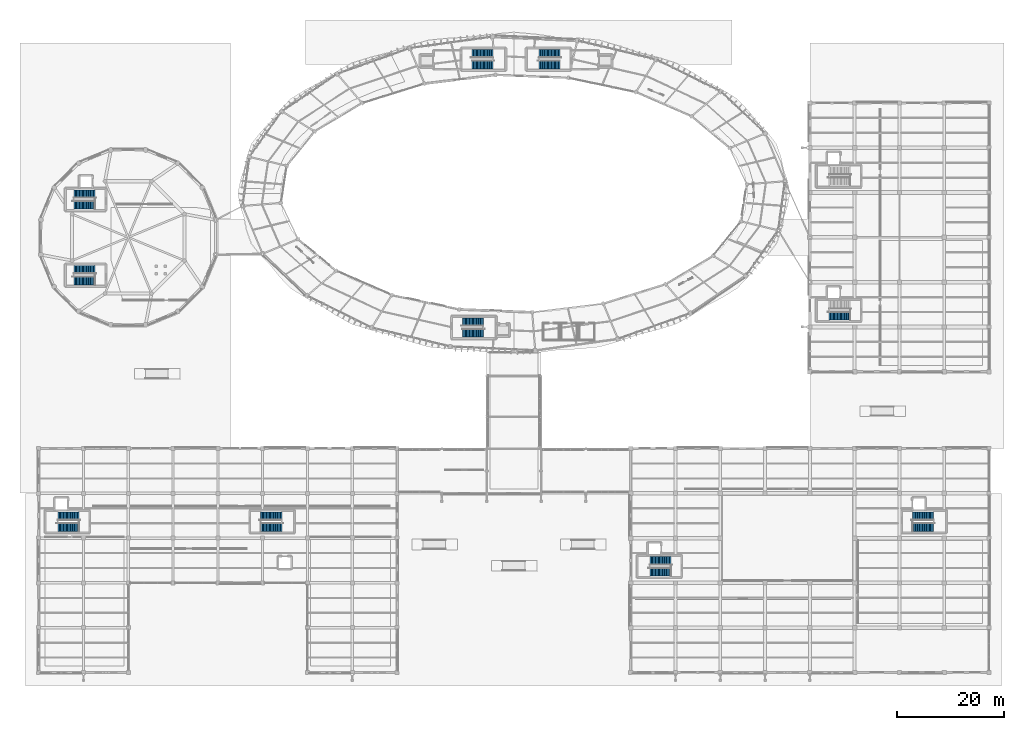
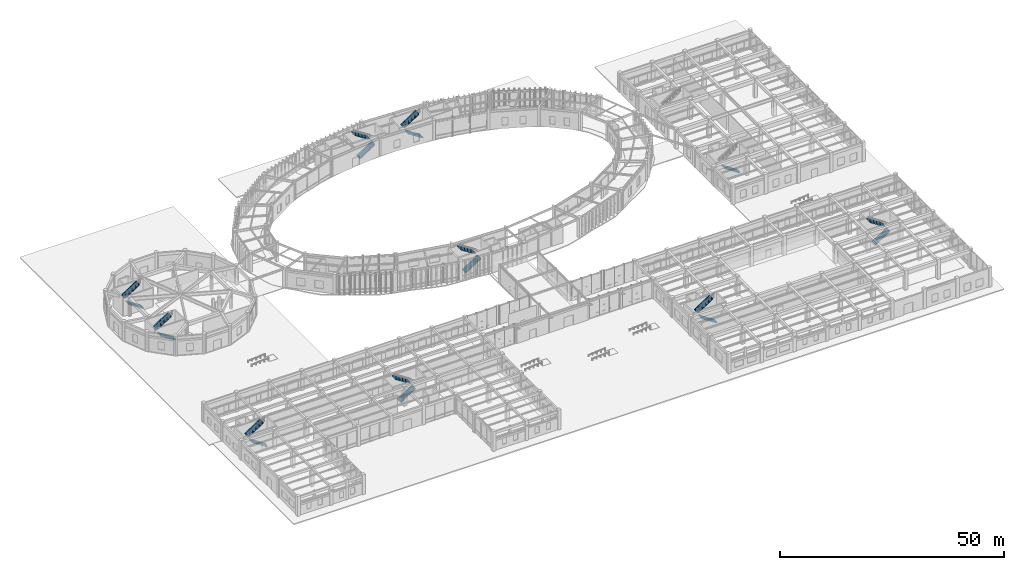
# One storey, part 136 of 157: 19 stair flights, 10 elements without a shape of their own.
"""IFC4 building model written with IfcOpenShell, lengths in metres."""

from ifc_helpers import new_model, si_unit, direction, frame, origin, place, context, subcontext, project, spatial, polyline, outline, extrude, material, type_object, element, aggregate, save


model = new_model("IFC4")

# Units and contexts
model_context = context("Model", 3, precision=1e-05, world=origin(), true_north=direction((0.0, 1.0)))
body_context = subcontext(model_context, "Body", "Model", "MODEL_VIEW")
ifc_project = project(units=[si_unit("LENGTHUNIT", "METRE"), si_unit("AREAUNIT", "SQUARE_METRE"), si_unit("VOLUMEUNIT", "CUBIC_METRE"), si_unit("PLANEANGLEUNIT", "RADIAN"), si_unit("MASSUNIT", "GRAM", prefix="KILO"), si_unit("THERMODYNAMICTEMPERATUREUNIT", "KELVIN"), si_unit("POWERUNIT", "WATT")], contexts=[model_context])

# Site, building, storey
site_placement = place(None, origin())
site = spatial("IfcSite", under=ifc_project, at=site_placement, CompositionType="ELEMENT")
building_placement = place(site_placement, origin())
building = spatial("IfcBuilding", under=site, at=building_placement, Name="Darbajah Civic Hall", CompositionType="ELEMENT")
storey_placement = place(building_placement, origin())
storey = spatial("IfcBuildingStorey", under=building, at=storey_placement, Name="L00", CompositionType="ELEMENT", Elevation=0.0)

# Stair, stair flights
ifc_material_1 = material(Name="Concrete C45/55", Category="concrete")
stair_type_1 = type_object("IfcStairType", Name="Half Turn Stair 1650x5400", PredefinedType="HALF_TURN_STAIR", material=ifc_material_1)
stair_1_placement = place(storey_placement, origin())
stair_1 = element("IfcStair", 1, at=stair_1_placement, inside=storey, type_object=stair_type_1, Name="L00 enclosed exit stair ST01", PredefinedType="HALF_TURN_STAIR")
ifc_material_2 = material(Name="Precast Concrete C45/55", Category="concrete")
stair_flight_type = type_object("IfcStairFlightType", Name="Stair Flight 16R 260G", PredefinedType="STRAIGHT", material=ifc_material_2)
stair_flight_1_placement = place(storey_placement, frame((81.280029296875, 113.965087890625, 0.0), z_axis=(0.0, 0.0, 1.0), x_axis=(1.0, 0.0, 0.0)))
stair_flight_1 = element("IfcStairFlight", 2, at=stair_flight_1_placement, type_object=stair_flight_type, Name="ST01 L00 lower flight", NumberOfRisers=16, NumberOfTreads=15, PredefinedType="STRAIGHT", RiserHeight=0.16875, TreadLength=0.26, context=body_context, shape_type="SweptSolid", body=[
    extrude(outline(polyline([(0.0, 0.0), (0.0, 0.168701171875), (0.260009765625, 0.168701171875), (0.260009765625, 0.33740234375), (0.52001953125, 0.33740234375), (0.52001953125, 0.50634765625), (0.780029296875, 0.50634765625), (0.780029296875, 0.675048828125), (1.0400390625, 0.675048828125), (1.0400390625, 0.84375), (1.300048828125, 0.84375), (1.300048828125, 1.012451171875), (1.56005859375, 1.012451171875), (1.56005859375, 1.18115234375), (1.820068359375, 1.18115234375), (1.820068359375, 1.35009765625), (2.080078125, 1.35009765625), (2.080078125, 1.518798828125), (2.340087890625, 1.518798828125), (2.340087890625, 1.6875), (2.60009765625, 1.6875), (2.60009765625, 1.856201171875), (2.860107421875, 1.856201171875), (2.860107421875, 2.02490234375), (3.1201171875, 2.02490234375), (3.1201171875, 2.19384765625), (3.3798828125, 2.19384765625), (3.3798828125, 2.362548828125), (3.639892578125, 2.362548828125), (3.639892578125, 2.53125), (3.89990234375, 2.53125), (3.89990234375, 2.699951171875), (3.93994140625, 2.699951171875), (3.93994140625, 2.316650390625), (0.37060546875, 0.0), (0.0, 0.0)])), frame((0.0, 0.77490234375, 0.0), z_axis=(0.0, -1.0, 0.0), x_axis=(1.0, 0.0, 0.0)), (0.0, 0.0, 1.0), 1.550048828125),
])
stair_flight_2_placement = place(storey_placement, frame((85.179931640625, 116.034912109375, 2.699951171875), z_axis=(0.0, 0.0, 1.0), x_axis=(-1.0, 0.0, 0.0)))
stair_flight_2 = element("IfcStairFlight", 3, at=stair_flight_2_placement, type_object=stair_flight_type, Name="ST01 L00 upper flight", NumberOfRisers=16, NumberOfTreads=15, PredefinedType="STRAIGHT", RiserHeight=0.16875, TreadLength=0.26, context=body_context, shape_type="SweptSolid", body=[
    extrude(outline(polyline([(0.0, 0.0), (0.0, 0.168701171875), (0.260009765625, 0.168701171875), (0.260009765625, 0.33740234375), (0.52001953125, 0.33740234375), (0.52001953125, 0.50634765625), (0.780029296875, 0.50634765625), (0.780029296875, 0.675048828125), (1.0400390625, 0.675048828125), (1.0400390625, 0.84375), (1.300048828125, 0.84375), (1.300048828125, 1.012451171875), (1.56005859375, 1.012451171875), (1.56005859375, 1.18115234375), (1.820068359375, 1.18115234375), (1.820068359375, 1.35009765625), (2.080078125, 1.35009765625), (2.080078125, 1.518798828125), (2.340087890625, 1.518798828125), (2.340087890625, 1.6875), (2.60009765625, 1.6875), (2.60009765625, 1.856201171875), (2.860107421875, 1.856201171875), (2.860107421875, 2.02490234375), (3.1201171875, 2.02490234375), (3.1201171875, 2.19384765625), (3.3798828125, 2.19384765625), (3.3798828125, 2.362548828125), (3.639892578125, 2.362548828125), (3.639892578125, 2.53125), (3.89990234375, 2.53125), (3.89990234375, 2.699951171875), (3.93994140625, 2.699951171875), (3.93994140625, 2.316650390625), (0.37060546875, 0.0), (0.0, 0.0)])), frame((0.0, 0.77490234375, 0.0), z_axis=(0.0, -1.0, 0.0), x_axis=(1.0, 0.0, 0.0)), (0.0, 0.0, 1.0), 1.550048828125),
])
aggregate(stair_1, [stair_flight_1, stair_flight_2])

stair_2_placement = place(storey_placement, origin())
stair_2 = element("IfcStair", 4, at=stair_2_placement, inside=storey, type_object=stair_type_1, Name="L00 enclosed exit stair ST02", PredefinedType="HALF_TURN_STAIR")
stair_flight_3_placement = place(storey_placement, frame((97.719970703125, 113.965087890625, 0.0), z_axis=(0.0, 0.0, 1.0), x_axis=(-1.0, 0.0, 0.0)))
stair_flight_3 = element("IfcStairFlight", 5, at=stair_flight_3_placement, type_object=stair_flight_type, Name="ST02 L00 lower flight", NumberOfRisers=16, NumberOfTreads=15, PredefinedType="STRAIGHT", RiserHeight=0.16875, TreadLength=0.26, context=body_context, shape_type="SweptSolid", body=[
    extrude(outline(polyline([(0.0, 0.0), (0.0, 0.168701171875), (0.260009765625, 0.168701171875), (0.260009765625, 0.33740234375), (0.52001953125, 0.33740234375), (0.52001953125, 0.50634765625), (0.780029296875, 0.50634765625), (0.780029296875, 0.675048828125), (1.0400390625, 0.675048828125), (1.0400390625, 0.84375), (1.300048828125, 0.84375), (1.300048828125, 1.012451171875), (1.56005859375, 1.012451171875), (1.56005859375, 1.18115234375), (1.820068359375, 1.18115234375), (1.820068359375, 1.35009765625), (2.080078125, 1.35009765625), (2.080078125, 1.518798828125), (2.340087890625, 1.518798828125), (2.340087890625, 1.6875), (2.60009765625, 1.6875), (2.60009765625, 1.856201171875), (2.860107421875, 1.856201171875), (2.860107421875, 2.02490234375), (3.1201171875, 2.02490234375), (3.1201171875, 2.19384765625), (3.3798828125, 2.19384765625), (3.3798828125, 2.362548828125), (3.639892578125, 2.362548828125), (3.639892578125, 2.53125), (3.89990234375, 2.53125), (3.89990234375, 2.699951171875), (3.93994140625, 2.699951171875), (3.93994140625, 2.316650390625), (0.37060546875, 0.0), (0.0, 0.0)])), frame((0.0, 0.77490234375, 0.0), z_axis=(0.0, -1.0, 0.0), x_axis=(1.0, 0.0, 0.0)), (0.0, 0.0, 1.0), 1.550048828125),
])
stair_flight_4_placement = place(storey_placement, frame((93.820068359375, 116.034912109375, 2.699951171875), z_axis=(0.0, 0.0, 1.0), x_axis=(1.0, 0.0, 0.0)))
stair_flight_4 = element("IfcStairFlight", 6, at=stair_flight_4_placement, type_object=stair_flight_type, Name="ST02 L00 upper flight", NumberOfRisers=16, NumberOfTreads=15, PredefinedType="STRAIGHT", RiserHeight=0.16875, TreadLength=0.26, context=body_context, shape_type="SweptSolid", body=[
    extrude(outline(polyline([(0.0, 0.0), (0.0, 0.168701171875), (0.260009765625, 0.168701171875), (0.260009765625, 0.33740234375), (0.52001953125, 0.33740234375), (0.52001953125, 0.50634765625), (0.780029296875, 0.50634765625), (0.780029296875, 0.675048828125), (1.0400390625, 0.675048828125), (1.0400390625, 0.84375), (1.300048828125, 0.84375), (1.300048828125, 1.012451171875), (1.56005859375, 1.012451171875), (1.56005859375, 1.18115234375), (1.820068359375, 1.18115234375), (1.820068359375, 1.35009765625), (2.080078125, 1.35009765625), (2.080078125, 1.518798828125), (2.340087890625, 1.518798828125), (2.340087890625, 1.6875), (2.60009765625, 1.6875), (2.60009765625, 1.856201171875), (2.860107421875, 1.856201171875), (2.860107421875, 2.02490234375), (3.1201171875, 2.02490234375), (3.1201171875, 2.19384765625), (3.3798828125, 2.19384765625), (3.3798828125, 2.362548828125), (3.639892578125, 2.362548828125), (3.639892578125, 2.53125), (3.89990234375, 2.53125), (3.89990234375, 2.699951171875), (3.93994140625, 2.699951171875), (3.93994140625, 2.316650390625), (0.37060546875, 0.0), (0.0, 0.0)])), frame((0.0, 0.77490234375, 0.0), z_axis=(0.0, -1.0, 0.0), x_axis=(1.0, 0.0, 0.0)), (0.0, 0.0, 1.0), 1.550048828125),
])
aggregate(stair_2, [stair_flight_3, stair_flight_4])

stair_type_2 = type_object("IfcStairType", Name="Double Return Stair 1850x5400", PredefinedType="DOUBLE_RETURN_STAIR", material=ifc_material_1)
stair_3_placement = place(storey_placement, origin())
stair_3 = element("IfcStair", 7, at=stair_3_placement, inside=storey, type_object=stair_type_2, Name="L00 enclosed exit stair ST03", PredefinedType="DOUBLE_RETURN_STAIR")
stair_flight_5_placement = place(storey_placement, frame((79.47998046875, 63.6650390625, 0.0), z_axis=(0.0, 0.0, 1.0), x_axis=(1.0, 0.0, 0.0)))
stair_flight_5 = element("IfcStairFlight", 8, at=stair_flight_5_placement, type_object=stair_flight_type, Name="ST03 L00 lower flight", NumberOfRisers=16, NumberOfTreads=15, PredefinedType="STRAIGHT", RiserHeight=0.16875, TreadLength=0.26, context=body_context, shape_type="SweptSolid", body=[
    extrude(outline(polyline([(0.0, 0.0), (0.0, 0.168701171875), (0.260009765625, 0.168701171875), (0.260009765625, 0.33740234375), (0.52001953125, 0.33740234375), (0.52001953125, 0.50634765625), (0.780029296875, 0.50634765625), (0.780029296875, 0.675048828125), (1.0400390625, 0.675048828125), (1.0400390625, 0.84375), (1.300048828125, 0.84375), (1.300048828125, 1.012451171875), (1.56005859375, 1.012451171875), (1.56005859375, 1.18115234375), (1.820068359375, 1.18115234375), (1.820068359375, 1.35009765625), (2.080078125, 1.35009765625), (2.080078125, 1.518798828125), (2.340087890625, 1.518798828125), (2.340087890625, 1.6875), (2.60009765625, 1.6875), (2.60009765625, 1.856201171875), (2.860107421875, 1.856201171875), (2.860107421875, 2.02490234375), (3.1201171875, 2.02490234375), (3.1201171875, 2.19384765625), (3.3798828125, 2.19384765625), (3.3798828125, 2.362548828125), (3.639892578125, 2.362548828125), (3.639892578125, 2.53125), (3.89990234375, 2.53125), (3.89990234375, 2.699951171875), (3.93994140625, 2.699951171875), (3.93994140625, 2.316650390625), (0.37060546875, 0.0), (0.0, 0.0)])), frame((0.0, 0.77490234375, 0.0), z_axis=(0.0, -1.0, 0.0), x_axis=(1.0, 0.0, 0.0)), (0.0, 0.0, 1.0), 1.550048828125),
])
stair_flight_6_placement = place(storey_placement, frame((83.3798828125, 65.735107421875, 2.699951171875), z_axis=(0.0, 0.0, 1.0), x_axis=(-1.0, 0.0, 0.0)))
stair_flight_6 = element("IfcStairFlight", 9, at=stair_flight_6_placement, type_object=stair_flight_type, Name="ST03 L00 upper flight", NumberOfRisers=16, NumberOfTreads=15, PredefinedType="STRAIGHT", RiserHeight=0.16875, TreadLength=0.26, context=body_context, shape_type="SweptSolid", body=[
    extrude(outline(polyline([(0.0, 0.0), (0.0, 0.168701171875), (0.260009765625, 0.168701171875), (0.260009765625, 0.33740234375), (0.52001953125, 0.33740234375), (0.52001953125, 0.50634765625), (0.780029296875, 0.50634765625), (0.780029296875, 0.675048828125), (1.0400390625, 0.675048828125), (1.0400390625, 0.84375), (1.300048828125, 0.84375), (1.300048828125, 1.012451171875), (1.56005859375, 1.012451171875), (1.56005859375, 1.18115234375), (1.820068359375, 1.18115234375), (1.820068359375, 1.35009765625), (2.080078125, 1.35009765625), (2.080078125, 1.518798828125), (2.340087890625, 1.518798828125), (2.340087890625, 1.6875), (2.60009765625, 1.6875), (2.60009765625, 1.856201171875), (2.860107421875, 1.856201171875), (2.860107421875, 2.02490234375), (3.1201171875, 2.02490234375), (3.1201171875, 2.19384765625), (3.3798828125, 2.19384765625), (3.3798828125, 2.362548828125), (3.639892578125, 2.362548828125), (3.639892578125, 2.53125), (3.89990234375, 2.53125), (3.89990234375, 2.699951171875), (3.93994140625, 2.699951171875), (3.93994140625, 2.316650390625), (0.37060546875, 0.0), (0.0, 0.0)])), frame((0.0, 0.77490234375, 0.0), z_axis=(0.0, -1.0, 0.0), x_axis=(1.0, 0.0, 0.0)), (0.0, 0.0, 1.0), 1.550048828125),
])
aggregate(stair_3, [stair_flight_5, stair_flight_6])

stair_4_placement = place(storey_placement, origin())
stair_4 = element("IfcStair", 10, at=stair_4_placement, inside=storey, type_object=stair_type_1, Name="L00 enclosed exit stair ST04", PredefinedType="HALF_TURN_STAIR")
stair_flight_7_placement = place(storey_placement, frame((10.52001953125, 87.6650390625, 0.0), z_axis=(0.0, 0.0, 1.0), x_axis=(-1.0, 0.0, 0.0)))
stair_flight_7 = element("IfcStairFlight", 11, at=stair_flight_7_placement, type_object=stair_flight_type, Name="ST04 L00 lower flight", NumberOfRisers=16, NumberOfTreads=15, PredefinedType="STRAIGHT", RiserHeight=0.16875, TreadLength=0.26, context=body_context, shape_type="SweptSolid", body=[
    extrude(outline(polyline([(0.0, 0.0), (0.0, 0.168701171875), (0.260009765625, 0.168701171875), (0.260009765625, 0.33740234375), (0.52001953125, 0.33740234375), (0.52001953125, 0.50634765625), (0.780029296875, 0.50634765625), (0.780029296875, 0.675048828125), (1.0400390625, 0.675048828125), (1.0400390625, 0.84375), (1.300048828125, 0.84375), (1.300048828125, 1.012451171875), (1.56005859375, 1.012451171875), (1.56005859375, 1.18115234375), (1.820068359375, 1.18115234375), (1.820068359375, 1.35009765625), (2.080078125, 1.35009765625), (2.080078125, 1.518798828125), (2.340087890625, 1.518798828125), (2.340087890625, 1.6875), (2.60009765625, 1.6875), (2.60009765625, 1.856201171875), (2.860107421875, 1.856201171875), (2.860107421875, 2.02490234375), (3.1201171875, 2.02490234375), (3.1201171875, 2.19384765625), (3.3798828125, 2.19384765625), (3.3798828125, 2.362548828125), (3.639892578125, 2.362548828125), (3.639892578125, 2.53125), (3.89990234375, 2.53125), (3.89990234375, 2.699951171875), (3.93994140625, 2.699951171875), (3.93994140625, 2.316650390625), (0.37060546875, 0.0), (0.0, 0.0)])), frame((0.0, 0.77490234375, 0.0), z_axis=(0.0, -1.0, 0.0), x_axis=(1.0, 0.0, 0.0)), (0.0, 0.0, 1.0), 1.550048828125),
])
stair_flight_8_placement = place(storey_placement, frame((6.6201171875, 89.735107421875, 2.699951171875), z_axis=(0.0, 0.0, 1.0), x_axis=(1.0, 0.0, 0.0)))
stair_flight_8 = element("IfcStairFlight", 12, at=stair_flight_8_placement, type_object=stair_flight_type, Name="ST04 L00 upper flight", NumberOfRisers=16, NumberOfTreads=15, PredefinedType="STRAIGHT", RiserHeight=0.16875, TreadLength=0.26, context=body_context, shape_type="SweptSolid", body=[
    extrude(outline(polyline([(0.0, 0.0), (0.0, 0.168701171875), (0.260009765625, 0.168701171875), (0.260009765625, 0.33740234375), (0.52001953125, 0.33740234375), (0.52001953125, 0.50634765625), (0.780029296875, 0.50634765625), (0.780029296875, 0.675048828125), (1.0400390625, 0.675048828125), (1.0400390625, 0.84375), (1.300048828125, 0.84375), (1.300048828125, 1.012451171875), (1.56005859375, 1.012451171875), (1.56005859375, 1.18115234375), (1.820068359375, 1.18115234375), (1.820068359375, 1.35009765625), (2.080078125, 1.35009765625), (2.080078125, 1.518798828125), (2.340087890625, 1.518798828125), (2.340087890625, 1.6875), (2.60009765625, 1.6875), (2.60009765625, 1.856201171875), (2.860107421875, 1.856201171875), (2.860107421875, 2.02490234375), (3.1201171875, 2.02490234375), (3.1201171875, 2.19384765625), (3.3798828125, 2.19384765625), (3.3798828125, 2.362548828125), (3.639892578125, 2.362548828125), (3.639892578125, 2.53125), (3.89990234375, 2.53125), (3.89990234375, 2.699951171875), (3.93994140625, 2.699951171875), (3.93994140625, 2.316650390625), (0.37060546875, 0.0), (0.0, 0.0)])), frame((0.0, 0.77490234375, 0.0), z_axis=(0.0, -1.0, 0.0), x_axis=(1.0, 0.0, 0.0)), (0.0, 0.0, 1.0), 1.550048828125),
])
aggregate(stair_4, [stair_flight_7, stair_flight_8])

stair_5_placement = place(storey_placement, origin())
stair_5 = element("IfcStair", 13, at=stair_5_placement, inside=storey, type_object=stair_type_1, Name="L00 enclosed exit stair ST05", PredefinedType="HALF_TURN_STAIR")
stair_flight_9_placement = place(storey_placement, frame((10.52001953125, 73.465087890625, 0.0), z_axis=(0.0, 0.0, 1.0), x_axis=(-1.0, 0.0, 0.0)))
stair_flight_9 = element("IfcStairFlight", 14, at=stair_flight_9_placement, type_object=stair_flight_type, Name="ST05 L00 lower flight", NumberOfRisers=16, NumberOfTreads=15, PredefinedType="STRAIGHT", RiserHeight=0.16875, TreadLength=0.26, context=body_context, shape_type="SweptSolid", body=[
    extrude(outline(polyline([(0.0, 0.0), (0.0, 0.168701171875), (0.260009765625, 0.168701171875), (0.260009765625, 0.33740234375), (0.52001953125, 0.33740234375), (0.52001953125, 0.50634765625), (0.780029296875, 0.50634765625), (0.780029296875, 0.675048828125), (1.0400390625, 0.675048828125), (1.0400390625, 0.84375), (1.300048828125, 0.84375), (1.300048828125, 1.012451171875), (1.56005859375, 1.012451171875), (1.56005859375, 1.18115234375), (1.820068359375, 1.18115234375), (1.820068359375, 1.35009765625), (2.080078125, 1.35009765625), (2.080078125, 1.518798828125), (2.340087890625, 1.518798828125), (2.340087890625, 1.6875), (2.60009765625, 1.6875), (2.60009765625, 1.856201171875), (2.860107421875, 1.856201171875), (2.860107421875, 2.02490234375), (3.1201171875, 2.02490234375), (3.1201171875, 2.19384765625), (3.3798828125, 2.19384765625), (3.3798828125, 2.362548828125), (3.639892578125, 2.362548828125), (3.639892578125, 2.53125), (3.89990234375, 2.53125), (3.89990234375, 2.699951171875), (3.93994140625, 2.699951171875), (3.93994140625, 2.316650390625), (0.37060546875, 0.0), (0.0, 0.0)])), frame((0.0, 0.77490234375, 0.0), z_axis=(0.0, -1.0, 0.0), x_axis=(1.0, 0.0, 0.0)), (0.0, 0.0, 1.0), 1.550048828125),
])
stair_flight_10_placement = place(storey_placement, frame((6.6201171875, 75.534912109375, 2.699951171875), z_axis=(0.0, 0.0, 1.0), x_axis=(1.0, 0.0, 0.0)))
stair_flight_10 = element("IfcStairFlight", 15, at=stair_flight_10_placement, type_object=stair_flight_type, Name="ST05 L00 upper flight", NumberOfRisers=16, NumberOfTreads=15, PredefinedType="STRAIGHT", RiserHeight=0.16875, TreadLength=0.26, context=body_context, shape_type="SweptSolid", body=[
    extrude(outline(polyline([(0.0, 0.0), (0.0, 0.168701171875), (0.260009765625, 0.168701171875), (0.260009765625, 0.33740234375), (0.52001953125, 0.33740234375), (0.52001953125, 0.50634765625), (0.780029296875, 0.50634765625), (0.780029296875, 0.675048828125), (1.0400390625, 0.675048828125), (1.0400390625, 0.84375), (1.300048828125, 0.84375), (1.300048828125, 1.012451171875), (1.56005859375, 1.012451171875), (1.56005859375, 1.18115234375), (1.820068359375, 1.18115234375), (1.820068359375, 1.35009765625), (2.080078125, 1.35009765625), (2.080078125, 1.518798828125), (2.340087890625, 1.518798828125), (2.340087890625, 1.6875), (2.60009765625, 1.6875), (2.60009765625, 1.856201171875), (2.860107421875, 1.856201171875), (2.860107421875, 2.02490234375), (3.1201171875, 2.02490234375), (3.1201171875, 2.19384765625), (3.3798828125, 2.19384765625), (3.3798828125, 2.362548828125), (3.639892578125, 2.362548828125), (3.639892578125, 2.53125), (3.89990234375, 2.53125), (3.89990234375, 2.699951171875), (3.93994140625, 2.699951171875), (3.93994140625, 2.316650390625), (0.37060546875, 0.0), (0.0, 0.0)])), frame((0.0, 0.77490234375, 0.0), z_axis=(0.0, -1.0, 0.0), x_axis=(1.0, 0.0, 0.0)), (0.0, 0.0, 1.0), 1.550048828125),
])
aggregate(stair_5, [stair_flight_9, stair_flight_10])

stair_6_placement = place(storey_placement, origin())
stair_6 = element("IfcStair", 16, at=stair_6_placement, inside=storey, type_object=stair_type_1, Name="L00 enclosed exit stair ST06", PredefinedType="HALF_TURN_STAIR")
stair_flight_11_placement = place(storey_placement, frame((118.52001953125, 18.864990234375, 0.0), z_axis=(0.0, 0.0, 1.0), x_axis=(-1.0, 0.0, 0.0)))
stair_flight_11 = element("IfcStairFlight", 17, at=stair_flight_11_placement, type_object=stair_flight_type, Name="ST06 L00 lower flight", NumberOfRisers=16, NumberOfTreads=15, PredefinedType="STRAIGHT", RiserHeight=0.16875, TreadLength=0.26, context=body_context, shape_type="SweptSolid", body=[
    extrude(outline(polyline([(0.0, 0.0), (0.0, 0.168701171875), (0.260009765625, 0.168701171875), (0.260009765625, 0.33740234375), (0.52001953125, 0.33740234375), (0.52001953125, 0.50634765625), (0.780029296875, 0.50634765625), (0.780029296875, 0.675048828125), (1.0400390625, 0.675048828125), (1.0400390625, 0.84375), (1.300048828125, 0.84375), (1.300048828125, 1.012451171875), (1.56005859375, 1.012451171875), (1.56005859375, 1.18115234375), (1.820068359375, 1.18115234375), (1.820068359375, 1.35009765625), (2.080078125, 1.35009765625), (2.080078125, 1.518798828125), (2.340087890625, 1.518798828125), (2.340087890625, 1.6875), (2.60009765625, 1.6875), (2.60009765625, 1.856201171875), (2.860107421875, 1.856201171875), (2.860107421875, 2.02490234375), (3.1201171875, 2.02490234375), (3.1201171875, 2.19384765625), (3.3798828125, 2.19384765625), (3.3798828125, 2.362548828125), (3.639892578125, 2.362548828125), (3.639892578125, 2.53125), (3.89990234375, 2.53125), (3.89990234375, 2.699951171875), (3.93994140625, 2.699951171875), (3.93994140625, 2.316650390625), (0.37060546875, 0.0), (0.0, 0.0)])), frame((0.0, 0.77490234375, 0.0), z_axis=(0.0, -1.0, 0.0), x_axis=(1.0, 0.0, 0.0)), (0.0, 0.0, 1.0), 1.550048828125),
])
stair_flight_12_placement = place(storey_placement, frame((114.6201171875, 20.93505859375, 2.699951171875), z_axis=(0.0, 0.0, 1.0), x_axis=(1.0, 0.0, 0.0)))
stair_flight_12 = element("IfcStairFlight", 18, at=stair_flight_12_placement, type_object=stair_flight_type, Name="ST06 L00 upper flight", NumberOfRisers=16, NumberOfTreads=15, PredefinedType="STRAIGHT", RiserHeight=0.16875, TreadLength=0.26, context=body_context, shape_type="SweptSolid", body=[
    extrude(outline(polyline([(0.0, 0.0), (0.0, 0.168701171875), (0.260009765625, 0.168701171875), (0.260009765625, 0.33740234375), (0.52001953125, 0.33740234375), (0.52001953125, 0.50634765625), (0.780029296875, 0.50634765625), (0.780029296875, 0.675048828125), (1.0400390625, 0.675048828125), (1.0400390625, 0.84375), (1.300048828125, 0.84375), (1.300048828125, 1.012451171875), (1.56005859375, 1.012451171875), (1.56005859375, 1.18115234375), (1.820068359375, 1.18115234375), (1.820068359375, 1.35009765625), (2.080078125, 1.35009765625), (2.080078125, 1.518798828125), (2.340087890625, 1.518798828125), (2.340087890625, 1.6875), (2.60009765625, 1.6875), (2.60009765625, 1.856201171875), (2.860107421875, 1.856201171875), (2.860107421875, 2.02490234375), (3.1201171875, 2.02490234375), (3.1201171875, 2.19384765625), (3.3798828125, 2.19384765625), (3.3798828125, 2.362548828125), (3.639892578125, 2.362548828125), (3.639892578125, 2.53125), (3.89990234375, 2.53125), (3.89990234375, 2.699951171875), (3.93994140625, 2.699951171875), (3.93994140625, 2.316650390625), (0.37060546875, 0.0), (0.0, 0.0)])), frame((0.0, 0.77490234375, 0.0), z_axis=(0.0, -1.0, 0.0), x_axis=(1.0, 0.0, 0.0)), (0.0, 0.0, 1.0), 1.550048828125),
])
aggregate(stair_6, [stair_flight_11, stair_flight_12])

stair_7_placement = place(storey_placement, origin())
stair_7 = element("IfcStair", 19, at=stair_7_placement, inside=storey, type_object=stair_type_1, Name="L00 enclosed exit stair ST07", PredefinedType="HALF_TURN_STAIR")
stair_flight_13_placement = place(storey_placement, frame((163.8798828125, 27.264892578125, 0.0), z_axis=(0.0, 0.0, 1.0), x_axis=(1.0, 0.0, 0.0)))
stair_flight_13 = element("IfcStairFlight", 20, at=stair_flight_13_placement, type_object=stair_flight_type, Name="ST07 L00 lower flight", NumberOfRisers=16, NumberOfTreads=15, PredefinedType="STRAIGHT", RiserHeight=0.16875, TreadLength=0.26, context=body_context, shape_type="SweptSolid", body=[
    extrude(outline(polyline([(0.0, 0.0), (0.0, 0.168701171875), (0.260009765625, 0.168701171875), (0.260009765625, 0.33740234375), (0.52001953125, 0.33740234375), (0.52001953125, 0.50634765625), (0.780029296875, 0.50634765625), (0.780029296875, 0.675048828125), (1.0400390625, 0.675048828125), (1.0400390625, 0.84375), (1.300048828125, 0.84375), (1.300048828125, 1.012451171875), (1.56005859375, 1.012451171875), (1.56005859375, 1.18115234375), (1.820068359375, 1.18115234375), (1.820068359375, 1.35009765625), (2.080078125, 1.35009765625), (2.080078125, 1.518798828125), (2.340087890625, 1.518798828125), (2.340087890625, 1.6875), (2.60009765625, 1.6875), (2.60009765625, 1.856201171875), (2.860107421875, 1.856201171875), (2.860107421875, 2.02490234375), (3.1201171875, 2.02490234375), (3.1201171875, 2.19384765625), (3.3798828125, 2.19384765625), (3.3798828125, 2.362548828125), (3.639892578125, 2.362548828125), (3.639892578125, 2.53125), (3.89990234375, 2.53125), (3.89990234375, 2.699951171875), (3.93994140625, 2.699951171875), (3.93994140625, 2.316650390625), (0.37060546875, 0.0), (0.0, 0.0)])), frame((0.0, 0.77490234375, 0.0), z_axis=(0.0, -1.0, 0.0), x_axis=(1.0, 0.0, 0.0)), (0.0, 0.0, 1.0), 1.550048828125),
])
stair_flight_14_placement = place(storey_placement, frame((167.780029296875, 29.3349609375, 2.699951171875), z_axis=(0.0, 0.0, 1.0), x_axis=(-1.0, 0.0, 0.0)))
stair_flight_14 = element("IfcStairFlight", 21, at=stair_flight_14_placement, type_object=stair_flight_type, Name="ST07 L00 upper flight", NumberOfRisers=16, NumberOfTreads=15, PredefinedType="STRAIGHT", RiserHeight=0.16875, TreadLength=0.26, context=body_context, shape_type="SweptSolid", body=[
    extrude(outline(polyline([(0.0, 0.0), (0.0, 0.168701171875), (0.260009765625, 0.168701171875), (0.260009765625, 0.33740234375), (0.52001953125, 0.33740234375), (0.52001953125, 0.50634765625), (0.780029296875, 0.50634765625), (0.780029296875, 0.675048828125), (1.0400390625, 0.675048828125), (1.0400390625, 0.84375), (1.300048828125, 0.84375), (1.300048828125, 1.012451171875), (1.56005859375, 1.012451171875), (1.56005859375, 1.18115234375), (1.820068359375, 1.18115234375), (1.820068359375, 1.35009765625), (2.080078125, 1.35009765625), (2.080078125, 1.518798828125), (2.340087890625, 1.518798828125), (2.340087890625, 1.6875), (2.60009765625, 1.6875), (2.60009765625, 1.856201171875), (2.860107421875, 1.856201171875), (2.860107421875, 2.02490234375), (3.1201171875, 2.02490234375), (3.1201171875, 2.19384765625), (3.3798828125, 2.19384765625), (3.3798828125, 2.362548828125), (3.639892578125, 2.362548828125), (3.639892578125, 2.53125), (3.89990234375, 2.53125), (3.89990234375, 2.699951171875), (3.93994140625, 2.699951171875), (3.93994140625, 2.316650390625), (0.37060546875, 0.0), (0.0, 0.0)])), frame((0.0, 0.77490234375, 0.0), z_axis=(0.0, -1.0, 0.0), x_axis=(1.0, 0.0, 0.0)), (0.0, 0.0, 1.0), 1.550048828125),
])
aggregate(stair_7, [stair_flight_13, stair_flight_14])

# Stair, stair flight
stair_8_placement = place(storey_placement, origin())
stair_8 = element("IfcStair", 22, at=stair_8_placement, inside=storey, type_object=stair_type_1, Name="L00 enclosed exit stair ST09", PredefinedType="HALF_TURN_STAIR")
stair_flight_15_placement = place(storey_placement, frame((152.1201171875, 66.864990234375, 0.0), z_axis=(0.0, 0.0, 1.0), x_axis=(-1.0, 0.0, 0.0)))
stair_flight_15 = element("IfcStairFlight", 23, at=stair_flight_15_placement, type_object=stair_flight_type, Name="ST09 L00 lower flight", NumberOfRisers=16, NumberOfTreads=15, PredefinedType="STRAIGHT", RiserHeight=0.16875, TreadLength=0.26, context=body_context, shape_type="SweptSolid", body=[
    extrude(outline(polyline([(0.0, 0.0), (0.0, 0.168701171875), (0.260009765625, 0.168701171875), (0.260009765625, 0.33740234375), (0.52001953125, 0.33740234375), (0.52001953125, 0.50634765625), (0.780029296875, 0.50634765625), (0.780029296875, 0.675048828125), (1.0400390625, 0.675048828125), (1.0400390625, 0.84375), (1.300048828125, 0.84375), (1.300048828125, 1.012451171875), (1.56005859375, 1.012451171875), (1.56005859375, 1.18115234375), (1.820068359375, 1.18115234375), (1.820068359375, 1.35009765625), (2.080078125, 1.35009765625), (2.080078125, 1.518798828125), (2.340087890625, 1.518798828125), (2.340087890625, 1.6875), (2.60009765625, 1.6875), (2.60009765625, 1.856201171875), (2.860107421875, 1.856201171875), (2.860107421875, 2.02490234375), (3.1201171875, 2.02490234375), (3.1201171875, 2.19384765625), (3.3798828125, 2.19384765625), (3.3798828125, 2.362548828125), (3.639892578125, 2.362548828125), (3.639892578125, 2.53125), (3.89990234375, 2.53125), (3.89990234375, 2.699951171875), (3.93994140625, 2.699951171875), (3.93994140625, 2.316650390625), (0.37060546875, 0.0), (0.0, 0.0)])), frame((0.0, 0.77490234375, 0.0), z_axis=(0.0, -1.0, 0.0), x_axis=(1.0, 0.0, 0.0)), (0.0, 0.0, 1.0), 1.550048828125),
])
aggregate(stair_8, [stair_flight_15])

# Stair, stair flights
stair_9_placement = place(storey_placement, origin())
stair_9 = element("IfcStair", 24, at=stair_9_placement, inside=storey, type_object=stair_type_1, Name="L00 enclosed exit stair ST10", PredefinedType="HALF_TURN_STAIR")
stair_flight_16_placement = place(storey_placement, frame((7.52001953125, 27.264892578125, 0.0), z_axis=(0.0, 0.0, 1.0), x_axis=(-1.0, 0.0, 0.0)))
stair_flight_16 = element("IfcStairFlight", 25, at=stair_flight_16_placement, type_object=stair_flight_type, Name="ST10 L00 lower flight", NumberOfRisers=16, NumberOfTreads=15, PredefinedType="STRAIGHT", RiserHeight=0.16875, TreadLength=0.26, context=body_context, shape_type="SweptSolid", body=[
    extrude(outline(polyline([(0.0, 0.0), (0.0, 0.168701171875), (0.260009765625, 0.168701171875), (0.260009765625, 0.33740234375), (0.52001953125, 0.33740234375), (0.52001953125, 0.50634765625), (0.780029296875, 0.50634765625), (0.780029296875, 0.675048828125), (1.0400390625, 0.675048828125), (1.0400390625, 0.84375), (1.300048828125, 0.84375), (1.300048828125, 1.012451171875), (1.56005859375, 1.012451171875), (1.56005859375, 1.18115234375), (1.820068359375, 1.18115234375), (1.820068359375, 1.35009765625), (2.080078125, 1.35009765625), (2.080078125, 1.518798828125), (2.340087890625, 1.518798828125), (2.340087890625, 1.6875), (2.60009765625, 1.6875), (2.60009765625, 1.856201171875), (2.860107421875, 1.856201171875), (2.860107421875, 2.02490234375), (3.1201171875, 2.02490234375), (3.1201171875, 2.19384765625), (3.3798828125, 2.19384765625), (3.3798828125, 2.362548828125), (3.639892578125, 2.362548828125), (3.639892578125, 2.53125), (3.89990234375, 2.53125), (3.89990234375, 2.699951171875), (3.93994140625, 2.699951171875), (3.93994140625, 2.316650390625), (0.37060546875, 0.0), (0.0, 0.0)])), frame((0.0, 0.77490234375, 0.0), z_axis=(0.0, -1.0, 0.0), x_axis=(1.0, 0.0, 0.0)), (0.0, 0.0, 1.0), 1.550048828125),
])
stair_flight_17_placement = place(storey_placement, frame((3.6201171875, 29.3349609375, 2.699951171875), z_axis=(0.0, 0.0, 1.0), x_axis=(1.0, 0.0, 0.0)))
stair_flight_17 = element("IfcStairFlight", 26, at=stair_flight_17_placement, type_object=stair_flight_type, Name="ST10 L00 upper flight", NumberOfRisers=16, NumberOfTreads=15, PredefinedType="STRAIGHT", RiserHeight=0.16875, TreadLength=0.26, context=body_context, shape_type="SweptSolid", body=[
    extrude(outline(polyline([(0.0, 0.0), (0.0, 0.168701171875), (0.260009765625, 0.168701171875), (0.260009765625, 0.33740234375), (0.52001953125, 0.33740234375), (0.52001953125, 0.50634765625), (0.780029296875, 0.50634765625), (0.780029296875, 0.675048828125), (1.0400390625, 0.675048828125), (1.0400390625, 0.84375), (1.300048828125, 0.84375), (1.300048828125, 1.012451171875), (1.56005859375, 1.012451171875), (1.56005859375, 1.18115234375), (1.820068359375, 1.18115234375), (1.820068359375, 1.35009765625), (2.080078125, 1.35009765625), (2.080078125, 1.518798828125), (2.340087890625, 1.518798828125), (2.340087890625, 1.6875), (2.60009765625, 1.6875), (2.60009765625, 1.856201171875), (2.860107421875, 1.856201171875), (2.860107421875, 2.02490234375), (3.1201171875, 2.02490234375), (3.1201171875, 2.19384765625), (3.3798828125, 2.19384765625), (3.3798828125, 2.362548828125), (3.639892578125, 2.362548828125), (3.639892578125, 2.53125), (3.89990234375, 2.53125), (3.89990234375, 2.699951171875), (3.93994140625, 2.699951171875), (3.93994140625, 2.316650390625), (0.37060546875, 0.0), (0.0, 0.0)])), frame((0.0, 0.77490234375, 0.0), z_axis=(0.0, -1.0, 0.0), x_axis=(1.0, 0.0, 0.0)), (0.0, 0.0, 1.0), 1.550048828125),
])
aggregate(stair_9, [stair_flight_16, stair_flight_17])

stair_10_placement = place(storey_placement, origin())
stair_10 = element("IfcStair", 27, at=stair_10_placement, inside=storey, type_object=stair_type_1, Name="L00 enclosed exit stair ST11", PredefinedType="HALF_TURN_STAIR")
stair_flight_18_placement = place(storey_placement, frame((41.679931640625, 27.264892578125, 0.0), z_axis=(0.0, 0.0, 1.0), x_axis=(1.0, 0.0, 0.0)))
stair_flight_18 = element("IfcStairFlight", 28, at=stair_flight_18_placement, type_object=stair_flight_type, Name="ST11 L00 lower flight", NumberOfRisers=16, NumberOfTreads=15, PredefinedType="STRAIGHT", RiserHeight=0.16875, TreadLength=0.26, context=body_context, shape_type="SweptSolid", body=[
    extrude(outline(polyline([(0.0, 0.0), (0.0, 0.168701171875), (0.260009765625, 0.168701171875), (0.260009765625, 0.33740234375), (0.52001953125, 0.33740234375), (0.52001953125, 0.50634765625), (0.780029296875, 0.50634765625), (0.780029296875, 0.675048828125), (1.0400390625, 0.675048828125), (1.0400390625, 0.84375), (1.300048828125, 0.84375), (1.300048828125, 1.012451171875), (1.56005859375, 1.012451171875), (1.56005859375, 1.18115234375), (1.820068359375, 1.18115234375), (1.820068359375, 1.35009765625), (2.080078125, 1.35009765625), (2.080078125, 1.518798828125), (2.340087890625, 1.518798828125), (2.340087890625, 1.6875), (2.60009765625, 1.6875), (2.60009765625, 1.856201171875), (2.860107421875, 1.856201171875), (2.860107421875, 2.02490234375), (3.1201171875, 2.02490234375), (3.1201171875, 2.19384765625), (3.3798828125, 2.19384765625), (3.3798828125, 2.362548828125), (3.639892578125, 2.362548828125), (3.639892578125, 2.53125), (3.89990234375, 2.53125), (3.89990234375, 2.699951171875), (3.93994140625, 2.699951171875), (3.93994140625, 2.316650390625), (0.37060546875, 0.0), (0.0, 0.0)])), frame((0.0, 0.77490234375, 0.0), z_axis=(0.0, -1.0, 0.0), x_axis=(1.0, 0.0, 0.0)), (0.0, 0.0, 1.0), 1.550048828125),
])
stair_flight_19_placement = place(storey_placement, frame((45.580078125, 29.3349609375, 2.699951171875), z_axis=(0.0, 0.0, 1.0), x_axis=(-1.0, 0.0, 0.0)))
stair_flight_19 = element("IfcStairFlight", 29, at=stair_flight_19_placement, type_object=stair_flight_type, Name="ST11 L00 upper flight", NumberOfRisers=16, NumberOfTreads=15, PredefinedType="STRAIGHT", RiserHeight=0.16875, TreadLength=0.26, context=body_context, shape_type="SweptSolid", body=[
    extrude(outline(polyline([(0.0, 0.0), (0.0, 0.168701171875), (0.260009765625, 0.168701171875), (0.260009765625, 0.33740234375), (0.52001953125, 0.33740234375), (0.52001953125, 0.50634765625), (0.780029296875, 0.50634765625), (0.780029296875, 0.675048828125), (1.0400390625, 0.675048828125), (1.0400390625, 0.84375), (1.300048828125, 0.84375), (1.300048828125, 1.012451171875), (1.56005859375, 1.012451171875), (1.56005859375, 1.18115234375), (1.820068359375, 1.18115234375), (1.820068359375, 1.35009765625), (2.080078125, 1.35009765625), (2.080078125, 1.518798828125), (2.340087890625, 1.518798828125), (2.340087890625, 1.6875), (2.60009765625, 1.6875), (2.60009765625, 1.856201171875), (2.860107421875, 1.856201171875), (2.860107421875, 2.02490234375), (3.1201171875, 2.02490234375), (3.1201171875, 2.19384765625), (3.3798828125, 2.19384765625), (3.3798828125, 2.362548828125), (3.639892578125, 2.362548828125), (3.639892578125, 2.53125), (3.89990234375, 2.53125), (3.89990234375, 2.699951171875), (3.93994140625, 2.699951171875), (3.93994140625, 2.316650390625), (0.37060546875, 0.0), (0.0, 0.0)])), frame((0.0, 0.77490234375, 0.0), z_axis=(0.0, -1.0, 0.0), x_axis=(1.0, 0.0, 0.0)), (0.0, 0.0, 1.0), 1.550048828125),
])
aggregate(stair_10, [stair_flight_18, stair_flight_19])

save(model, "model.ifc")
